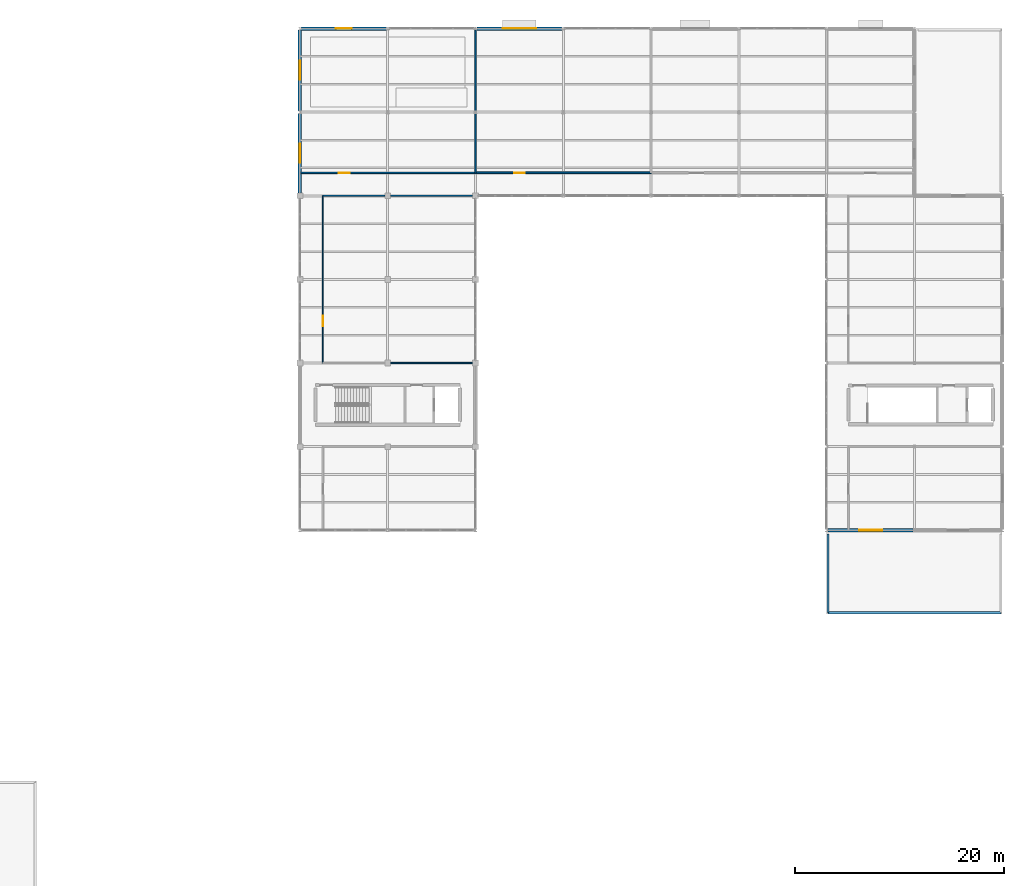
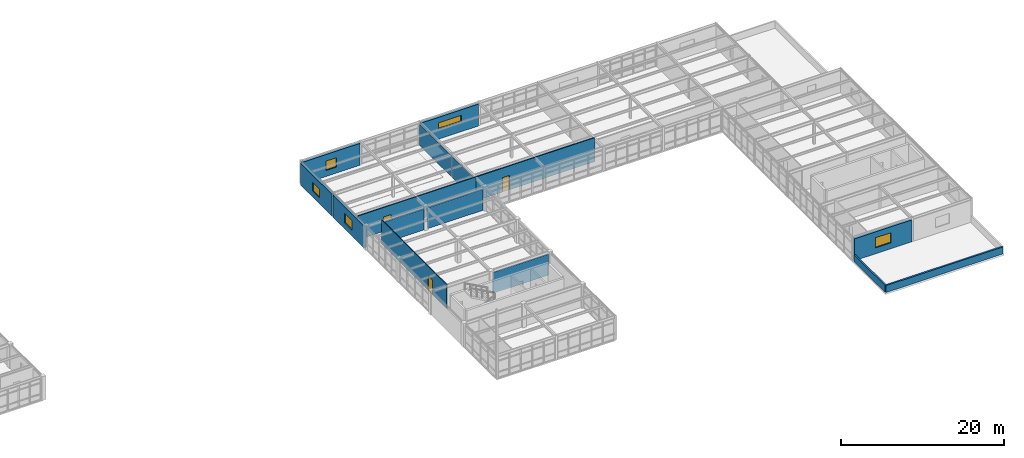
# One storey, part 45 of 53: 15 walls, 5 windows, 3 doors, 8 openings.
"""IFC4 building model written with IfcOpenShell, lengths in metres."""

from ifc_helpers import new_model, si_unit, direction, frame, frame_2d, origin, place, context, subcontext, project, spatial, rectangle, extrude, material, layer, layer_set, type_object, element, fill, save


model = new_model("IFC4")

# Units and contexts
model_context = context("Model", 3, precision=1e-05, world=origin(), true_north=direction((0.0, 1.0)))
body_context = subcontext(model_context, "Body", "Model", "MODEL_VIEW")
ifc_project = project(units=[si_unit("LENGTHUNIT", "METRE"), si_unit("AREAUNIT", "SQUARE_METRE"), si_unit("VOLUMEUNIT", "CUBIC_METRE"), si_unit("PLANEANGLEUNIT", "RADIAN"), si_unit("MASSUNIT", "GRAM", prefix="KILO")], contexts=[model_context])

# Site, building, storey
site_placement = place(None, origin())
site = spatial("IfcSite", under=ifc_project, at=site_placement, CompositionType="ELEMENT")
building_placement = place(site_placement, origin())
building = spatial("IfcBuilding", under=site, at=building_placement, Name="Kranzveld Transit Interchange", CompositionType="ELEMENT")
storey_placement = place(building_placement, frame((0.0, 0.0, 13.360107421875)))
storey = spatial("IfcBuildingStorey", under=building, at=storey_placement, Name="L03", CompositionType="ELEMENT", Elevation=13.360107421875)

# Wall, opening, door
ifc_material_1 = material(Name="Clay masonry unit wall, 20 MPa", Category="masonry")
ifc_layer_1 = layer(ifc_material_1, 0.1650390625)
ifc_layer_set_1 = layer_set([ifc_layer_1], Name="Clay masonry unit wall, 20 MPa")
wall_type_1 = type_object("IfcWallType", Name="Acoustic Double-Stud Partition 165", PredefinedType="PARTITIONING", material=ifc_layer_set_1)
wall_1_placement = place(storey_placement, frame((117.60009765625, 98.199951171875, 0.0), z_axis=(0.0, 0.0, 1.0), x_axis=(1.0, 0.0, 0.0)))
wall_1 = element("IfcWall", 1, at=wall_1_placement, inside=storey, type_object=wall_type_1, Name="L03 Partition IW-L03-L03V4N-FRT-306-0", PredefinedType="PARTITIONING", context=body_context, shape_type="SweptSolid", body=[
    extrude(rectangle(XDim=16.7998046875, YDim=0.1650390625, at=frame_2d((8.39990234375, 0.0))), origin(), (0.0, 0.0, 1.0), 3.579833984375),
])
opening_1_placement = place(wall_1_placement, frame((3.699951171875, 0.0, 0.0), z_axis=(0.0, 0.0, 1.0), x_axis=(1.0, 0.0, 0.0)))
opening_1 = element("IfcOpeningElement", 2, at=opening_1_placement, cuts=wall_1, Name="Opening D-306", PredefinedType="OPENING", context=body_context, shape_type="SweptSolid", body=[
    extrude(rectangle(XDim=1.0, YDim=2.14990234375, at=frame_2d((0.5, 1.074951171875))), frame((0.0, 0.092529296875, 0.0), z_axis=(0.0, -1.0, 0.0), x_axis=(1.0, 0.0, 0.0)), (0.0, 0.0, 1.0), 0.18505859375),
])
ifc_material_2 = material(Name="Bronze-anodised thermally broken aluminium", Category="aluminium")
door_type_1 = type_object("IfcDoorType", Name="Acoustic Timber Door 1000x2150", OperationType="NOTDEFINED", PredefinedType="DOOR", material=ifc_material_2)
door_1_placement = place(opening_1_placement, origin())
door_1 = element("IfcDoor", 3, at=door_1_placement, inside=storey, type_object=door_type_1, Name="L03 Interior Door D-306", OperationType="SINGLE_SWING_RIGHT", OverallHeight=2.14990234375, OverallWidth=1.0, PredefinedType="DOOR", context=body_context, shape_type="SweptSolid", body=[
    extrude(rectangle(XDim=1.0, YDim=2.14990234375, at=frame_2d((0.5, 1.074951171875))), frame((0.0, 0.02490234375, 0.0), z_axis=(0.0, -1.0, 0.0), x_axis=(1.0, 0.0, 0.0)), (0.0, 0.0, 1.0), 0.050048828125),
])
fill(opening_1, door_1)

ifc_material_3 = material(Name="Clay masonry unit wall, 20 MPa", Category="masonry")
ifc_layer_2 = layer(ifc_material_3, 0.139892578125)
ifc_layer_set_2 = layer_set([ifc_layer_2], Name="Clay masonry unit wall, 20 MPa")
wall_type_2 = type_object("IfcWallType", Name="Acoustic Stud Partition 140", PredefinedType="PARTITIONING", material=ifc_layer_set_2)
wall_2_placement = place(storey_placement, frame((100.840087890625, 98.199951171875, 0.0), z_axis=(0.0, 0.0, 1.0), x_axis=(1.0, 0.0, 0.0)))
wall_2 = element("IfcWall", 4, at=wall_2_placement, inside=storey, type_object=wall_type_2, Name="L03 Partition IW-L03-L03V4N-FRT-305-0", PredefinedType="PARTITIONING", context=body_context, shape_type="SweptSolid", body=[
    extrude(rectangle(XDim=16.760009765625, YDim=0.139892578125, at=frame_2d((8.3798828125, 0.0))), origin(), (0.0, 0.0, 1.0), 3.579833984375),
])
opening_2_placement = place(wall_2_placement, frame((3.659912109375, 0.0, 0.0), z_axis=(0.0, 0.0, 1.0), x_axis=(1.0, 0.0, 0.0)))
opening_2 = element("IfcOpeningElement", 5, at=opening_2_placement, cuts=wall_2, Name="Opening D-305", PredefinedType="OPENING", context=body_context, shape_type="SweptSolid", body=[
    extrude(rectangle(XDim=1.050048828125, YDim=2.14990234375, at=frame_2d((0.52490234375, 1.074951171875))), frame((0.0, 0.079833984375, 0.0), z_axis=(0.0, -1.0, 0.0), x_axis=(1.0, 0.0, 0.0)), (0.0, 0.0, 1.0), 0.159912109375),
])
ifc_material_4 = material(Name="Bronze-anodised thermally broken aluminium", Category="aluminium")
door_type_2 = type_object("IfcDoorType", Name="Acoustic Meeting Door 1050x2150", OperationType="NOTDEFINED", PredefinedType="DOOR", material=ifc_material_4)
door_2_placement = place(opening_2_placement, origin())
door_2 = element("IfcDoor", 6, at=door_2_placement, inside=storey, type_object=door_type_2, Name="L03 Interior Door D-305", OperationType="SINGLE_SWING_LEFT", OverallHeight=2.14990234375, OverallWidth=1.050048828125, PredefinedType="DOOR", context=body_context, shape_type="SweptSolid", body=[
    extrude(rectangle(XDim=1.050048828125, YDim=2.14990234375, at=frame_2d((0.52490234375, 1.074951171875))), frame((0.0, 0.02490234375, 0.0), z_axis=(0.0, -1.0, 0.0), x_axis=(1.0, 0.0, 0.0)), (0.0, 0.0, 1.0), 0.050048828125),
])
fill(opening_2, door_2)

# Walls
wall_3_placement = place(storey_placement, frame((117.60009765625, 98.199951171875, 0.0), z_axis=(0.0, 0.0, 1.0), x_axis=(0.0, 1.0, 0.0)))
element("IfcWall", 7, at=wall_3_placement, inside=storey, type_object=wall_type_2, Name="L03 Partition IW-L03-L03V4N-E-305-0", PredefinedType="PARTITIONING", context=body_context, shape_type="SweptSolid", body=[
    extrude(rectangle(XDim=5.679931640625, YDim=0.139892578125, at=frame_2d((2.83984375, 0.0))), origin(), (0.0, 0.0, 1.0), 3.12646484375),
])
wall_4_placement = place(storey_placement, frame((117.60009765625, 104.1201171875, 0.0), z_axis=(0.0, 0.0, 1.0), x_axis=(0.0, 1.0, 0.0)))
element("IfcWall", 8, at=wall_4_placement, inside=storey, type_object=wall_type_2, Name="L03 Partition IW-L03-L03V4N-E-305-1", PredefinedType="PARTITIONING", context=body_context, shape_type="SweptSolid", body=[
    extrude(rectangle(XDim=7.759765625, YDim=0.139892578125, at=frame_2d((3.8798828125, 0.0))), origin(), (0.0, 0.0, 1.0), 3.12646484375),
])

# Wall, opening, window
ifc_material_5 = material(Name="Pretoria red-purple clinker clay face brick, 35 MPa", Category="masonry")
ifc_layer_3 = layer(ifc_material_5, 0.340087890625)
ifc_layer_set_3 = layer_set([ifc_layer_3], Name="Pretoria red-purple clinker clay face brick, 35 MPa")
wall_type_3 = type_object("IfcWallType", Name="Exterior Cavity Wall Red Clinker 340", PredefinedType="SOLIDWALL", material=ifc_layer_set_3)
wall_5_placement = place(storey_placement, frame((151.328125, 64.0, 0.0), z_axis=(0.0, 0.0, 1.0), x_axis=(1.0, 0.0, 0.0)))
wall_5 = element("IfcWall", 9, at=wall_5_placement, inside=storey, type_object=wall_type_3, Name="L03 Clinker Facade Wall 19/J-20/J", PredefinedType="SOLIDWALL", context=body_context, shape_type="SweptSolid", body=[
    extrude(rectangle(XDim=8.143798828125, YDim=0.340087890625, at=frame_2d((4.07177734375, 0.0))), origin(), (0.0, 0.0, 1.0), 3.27978515625),
])
opening_3_placement = place(wall_5_placement, frame((2.971923828125, 0.0, 0.89990234375), z_axis=(0.0, 0.0, 1.0), x_axis=(1.0, 0.0, 0.0)))
opening_3 = element("IfcOpeningElement", 10, at=opening_3_placement, cuts=wall_5, Name="Opening W-09", PredefinedType="OPENING", context=body_context, shape_type="SweptSolid", body=[
    extrude(rectangle(XDim=2.199951171875, YDim=1.5, at=frame_2d((1.10009765625, 0.75))), frame((0.0, 0.179931640625, 0.0), z_axis=(0.0, -1.0, 0.0), x_axis=(1.0, 0.0, 0.0)), (0.0, 0.0, 1.0), 0.360107421875),
])
ifc_material_6 = material(Name="Solar-control double glazing", Category="glass")
window_type_1 = type_object("IfcWindowType", Name="Window Office Double 2200x1500", PartitioningType="DOUBLE_PANEL_VERTICAL", PredefinedType="WINDOW", material=ifc_material_6)
window_1_placement = place(opening_3_placement, origin())
window_1 = element("IfcWindow", 11, at=window_1_placement, inside=storey, type_object=window_type_1, Name="L03 Facade Window 19/J", OverallHeight=1.5, OverallWidth=2.199951171875, PartitioningType="DOUBLE_PANEL_VERTICAL", PredefinedType="WINDOW", context=body_context, shape_type="SweptSolid", body=[
    extrude(rectangle(XDim=2.199951171875, YDim=1.5, at=frame_2d((1.10009765625, 0.75))), frame((0.0, 0.030029296875, 0.0), z_axis=(0.0, -1.0, 0.0), x_axis=(1.0, 0.0, 0.0)), (0.0, 0.0, 1.0), 0.06005859375),
])
fill(opening_3, window_1)

wall_6_placement = place(storey_placement, frame((100.800048828125, 96.27490234375, 0.0), z_axis=(0.0, 0.0, 1.0), x_axis=(0.0, 1.0, 0.0)))
wall_6 = element("IfcWall", 12, at=wall_6_placement, inside=storey, type_object=wall_type_3, Name="L03 Clinker Facade Wall 13/N-13/P", PredefinedType="SOLIDWALL", context=body_context, shape_type="SweptSolid", body=[
    extrude(rectangle(XDim=7.594970703125, YDim=0.340087890625, at=frame_2d((3.79736328125, 0.0))), origin(), (0.0, 0.0, 1.0), 3.27978515625),
])
opening_4_placement = place(wall_6_placement, frame((2.8974609375, 0.0, 0.89990234375), z_axis=(0.0, 0.0, 1.0), x_axis=(1.0, 0.0, 0.0)))
opening_4 = element("IfcOpeningElement", 13, at=opening_4_placement, cuts=wall_6, Name="Opening W-11", PredefinedType="OPENING", context=body_context, shape_type="SweptSolid", body=[
    extrude(rectangle(XDim=1.800048828125, YDim=1.449951171875, at=frame_2d((0.89990234375, 0.72509765625))), frame((0.0, 0.179931640625, 0.0), z_axis=(0.0, -1.0, 0.0), x_axis=(1.0, 0.0, 0.0)), (0.0, 0.0, 1.0), 0.360107421875),
])
ifc_material_7 = material(Name="Solar-control double glazing", Category="glass")
window_type_2 = type_object("IfcWindowType", Name="Window Office Double 1800x1450", PartitioningType="DOUBLE_PANEL_VERTICAL", PredefinedType="WINDOW", material=ifc_material_7)
window_2_placement = place(opening_4_placement, origin())
window_2 = element("IfcWindow", 14, at=window_2_placement, inside=storey, type_object=window_type_2, Name="L03 Facade Window 13/N", OverallHeight=1.449951171875, OverallWidth=1.800048828125, PartitioningType="DOUBLE_PANEL_VERTICAL", PredefinedType="WINDOW", context=body_context, shape_type="SweptSolid", body=[
    extrude(rectangle(XDim=1.800048828125, YDim=1.449951171875, at=frame_2d((0.89990234375, 0.72509765625))), frame((0.0, 0.030029296875, 0.0), z_axis=(0.0, -1.0, 0.0), x_axis=(1.0, 0.0, 0.0)), (0.0, 0.0, 1.0), 0.06005859375),
])
fill(opening_4, window_2)

wall_7_placement = place(storey_placement, frame((100.800048828125, 104.130126953125, 0.0), z_axis=(0.0, 0.0, 1.0), x_axis=(0.0, 1.0, 0.0)))
wall_7 = element("IfcWall", 15, at=wall_7_placement, inside=storey, type_object=wall_type_3, Name="L03 Clinker Facade Wall 13/P-13/Q", PredefinedType="SOLIDWALL", context=body_context, shape_type="SweptSolid", body=[
    extrude(rectangle(XDim=7.73974609375, YDim=0.340087890625, at=frame_2d((3.869873046875, 0.0))), origin(), (0.0, 0.0, 1.0), 3.27978515625),
])
opening_5_placement = place(wall_7_placement, frame((2.969970703125, 0.0, 0.89990234375), z_axis=(0.0, 0.0, 1.0), x_axis=(1.0, 0.0, 0.0)))
opening_5 = element("IfcOpeningElement", 16, at=opening_5_placement, cuts=wall_7, Name="Opening W-12", PredefinedType="OPENING", context=body_context, shape_type="SweptSolid", body=[
    extrude(rectangle(XDim=1.800048828125, YDim=1.300048828125, at=frame_2d((0.89990234375, 0.64990234375))), frame((0.0, 0.179931640625, 0.0), z_axis=(0.0, -1.0, 0.0), x_axis=(1.0, 0.0, 0.0)), (0.0, 0.0, 1.0), 0.360107421875),
])
ifc_material_8 = material(Name="Solar-control double glazing", Category="glass")
window_type_3 = type_object("IfcWindowType", Name="Window Studio Double 1800x1300", PartitioningType="DOUBLE_PANEL_VERTICAL", PredefinedType="WINDOW", material=ifc_material_8)
window_3_placement = place(opening_5_placement, origin())
window_3 = element("IfcWindow", 17, at=window_3_placement, inside=storey, type_object=window_type_3, Name="L03 Facade Window 13/P", OverallHeight=1.300048828125, OverallWidth=1.800048828125, PartitioningType="DOUBLE_PANEL_VERTICAL", PredefinedType="WINDOW", context=body_context, shape_type="SweptSolid", body=[
    extrude(rectangle(XDim=1.800048828125, YDim=1.300048828125, at=frame_2d((0.89990234375, 0.64990234375))), frame((0.0, 0.030029296875, 0.0), z_axis=(0.0, -1.0, 0.0), x_axis=(1.0, 0.0, 0.0)), (0.0, 0.0, 1.0), 0.06005859375),
])
fill(opening_5, window_3)

wall_8_placement = place(storey_placement, frame((100.927978515625, 112.0, 0.0), z_axis=(0.0, 0.0, 1.0), x_axis=(1.0, 0.0, 0.0)))
wall_8 = element("IfcWall", 18, at=wall_8_placement, inside=storey, type_object=wall_type_3, Name="L03 Clinker Facade Wall 13/Q-14/Q", PredefinedType="SOLIDWALL", context=body_context, shape_type="SweptSolid", body=[
    extrude(rectangle(XDim=8.14404296875, YDim=0.340087890625, at=frame_2d((4.072021484375, 0.0))), origin(), (0.0, 0.0, 1.0), 3.27978515625),
])
opening_6_placement = place(wall_8_placement, frame((3.322021484375, 0.0, 0.89990234375), z_axis=(0.0, 0.0, 1.0), x_axis=(1.0, 0.0, 0.0)))
opening_6 = element("IfcOpeningElement", 19, at=opening_6_placement, cuts=wall_8, Name="Opening W-13", PredefinedType="OPENING", context=body_context, shape_type="SweptSolid", body=[
    extrude(rectangle(XDim=1.5, YDim=1.39990234375, at=frame_2d((0.75, 0.699951171875))), frame((0.0, 0.179931640625, 0.0), z_axis=(0.0, -1.0, 0.0), x_axis=(1.0, 0.0, 0.0)), (0.0, 0.0, 1.0), 0.360107421875),
])
ifc_material_9 = material(Name="Solar-control double glazing", Category="glass")
window_type_4 = type_object("IfcWindowType", Name="Window Studio Single 1500x1400", PartitioningType="SINGLE_PANEL", PredefinedType="WINDOW", material=ifc_material_9)
window_4_placement = place(opening_6_placement, origin())
window_4 = element("IfcWindow", 20, at=window_4_placement, inside=storey, type_object=window_type_4, Name="L03 Facade Window 13/Q", OverallHeight=1.39990234375, OverallWidth=1.5, PartitioningType="SINGLE_PANEL", PredefinedType="WINDOW", context=body_context, shape_type="SweptSolid", body=[
    extrude(rectangle(XDim=1.5, YDim=1.39990234375, at=frame_2d((0.75, 0.699951171875))), frame((0.0, 0.030029296875, 0.0), z_axis=(0.0, -1.0, 0.0), x_axis=(1.0, 0.0, 0.0)), (0.0, 0.0, 1.0), 0.06005859375),
])
fill(opening_6, window_4)

wall_9_placement = place(storey_placement, frame((117.72802734375, 112.0, 0.0), z_axis=(0.0, 0.0, 1.0), x_axis=(1.0, 0.0, 0.0)))
wall_9 = element("IfcWall", 21, at=wall_9_placement, inside=storey, type_object=wall_type_3, Name="L03 Clinker Facade Wall 15/Q-16/Q", PredefinedType="SOLIDWALL", context=body_context, shape_type="SweptSolid", body=[
    extrude(rectangle(XDim=8.143798828125, YDim=0.340087890625, at=frame_2d((4.07177734375, 0.0))), origin(), (0.0, 0.0, 1.0), 3.27978515625),
])
opening_7_placement = place(wall_9_placement, frame((2.471923828125, 0.0, 1.550048828125), z_axis=(0.0, 0.0, 1.0), x_axis=(1.0, 0.0, 0.0)))
opening_7 = element("IfcOpeningElement", 22, at=opening_7_placement, cuts=wall_9, Name="Opening W-14", PredefinedType="OPENING", context=body_context, shape_type="SweptSolid", body=[
    extrude(rectangle(XDim=3.199951171875, YDim=0.89990234375, at=frame_2d((1.60009765625, 0.449951171875))), frame((0.0, 0.179931640625, 0.0), z_axis=(0.0, -1.0, 0.0), x_axis=(1.0, 0.0, 0.0)), (0.0, 0.0, 1.0), 0.360107421875),
])
ifc_material_10 = material(Name="Solar-control double glazing", Category="glass")
window_type_5 = type_object("IfcWindowType", Name="Window Clerestory 3200x900", PartitioningType="TRIPLE_PANEL_HORIZONTAL", PredefinedType="WINDOW", material=ifc_material_10)
window_5_placement = place(opening_7_placement, origin())
window_5 = element("IfcWindow", 23, at=window_5_placement, inside=storey, type_object=window_type_5, Name="L03 Facade Window 15/Q", OverallHeight=0.89990234375, OverallWidth=3.199951171875, PartitioningType="TRIPLE_PANEL_HORIZONTAL", PredefinedType="WINDOW", context=body_context, shape_type="SweptSolid", body=[
    extrude(rectangle(XDim=3.199951171875, YDim=0.89990234375, at=frame_2d((1.60009765625, 0.449951171875))), frame((0.0, 0.030029296875, 0.0), z_axis=(0.0, -1.0, 0.0), x_axis=(1.0, 0.0, 0.0)), (0.0, 0.0, 1.0), 0.06005859375),
])
fill(opening_7, window_5)

# Wall, opening, door
ifc_material_11 = material(Name="Clay masonry unit wall, 20 MPa", Category="masonry")
ifc_layer_4 = layer(ifc_material_11, 0.114990234375)
ifc_layer_set_4 = layer_set([ifc_layer_4], Name="Clay masonry unit wall, 20 MPa")
wall_type_4 = type_object("IfcWallType", Name="Internal Masonry Partition 115", PredefinedType="PARTITIONING", material=ifc_layer_set_4)
wall_10_placement = place(storey_placement, frame((103.0, 80.0, 0.0), z_axis=(0.0, 0.0, 1.0), x_axis=(0.0, 1.0, 0.0)))
wall_10 = element("IfcWall", 24, at=wall_10_placement, inside=storey, type_object=wall_type_4, Name="L03 Partition IW-L03-L03V4W-FRT-317-0", PredefinedType="PARTITIONING", context=body_context, shape_type="SweptSolid", body=[
    extrude(rectangle(XDim=16.0, YDim=0.114990234375, at=frame_2d((8.0, 0.0))), origin(), (0.0, 0.0, 1.0), 3.579833984375),
])
opening_8_placement = place(wall_10_placement, frame((4.52001953125, 0.0, 0.0), z_axis=(0.0, 0.0, 1.0), x_axis=(-1.0, 0.0, 0.0)))
opening_8 = element("IfcOpeningElement", 25, at=opening_8_placement, cuts=wall_10, Name="Opening D-317", PredefinedType="OPENING", context=body_context, shape_type="SweptSolid", body=[
    extrude(rectangle(XDim=1.02001953125, YDim=2.159912109375, at=frame_2d((0.510009765625, 1.080078125))), frame((0.0, 0.0673828125, 0.0), z_axis=(0.0, -1.0, 0.0), x_axis=(1.0, 0.0, 0.0)), (0.0, 0.0, 1.0), 0.135009765625),
])
ifc_material_12 = material(Name="Bronze-anodised thermally broken aluminium", Category="aluminium")
door_type_3 = type_object("IfcDoorType", Name="Studio Wide Door 1020x2160", OperationType="NOTDEFINED", PredefinedType="DOOR", material=ifc_material_12)
door_3_placement = place(opening_8_placement, origin())
door_3 = element("IfcDoor", 26, at=door_3_placement, inside=storey, type_object=door_type_3, Name="L03 Interior Door D-317", OperationType="SINGLE_SWING_RIGHT", OverallHeight=2.159912109375, OverallWidth=1.02001953125, PredefinedType="DOOR", context=body_context, shape_type="SweptSolid", body=[
    extrude(rectangle(XDim=1.02001953125, YDim=2.159912109375, at=frame_2d((0.510009765625, 1.080078125))), frame((0.0, 0.02490234375, 0.0), z_axis=(0.0, -1.0, 0.0), x_axis=(1.0, 0.0, 0.0)), (0.0, 0.0, 1.0), 0.050048828125),
])
fill(opening_8, door_3)

# Walls
wall_11_placement = place(storey_placement, frame((109.465087890625, 80.0, 0.0), z_axis=(0.0, 0.0, 1.0), x_axis=(1.0, 0.0, 0.0)))
element("IfcWall", 27, at=wall_11_placement, inside=storey, type_object=wall_type_4, Name="L03 Partition IW-L03-L03V4W-S-317-1", PredefinedType="PARTITIONING", context=body_context, shape_type="SweptSolid", body=[
    extrude(rectangle(XDim=7.869873046875, YDim=0.114990234375, at=frame_2d((3.93505859375, 0.0))), origin(), (0.0, 0.0, 1.0), 3.122802734375),
])
wall_12_placement = place(storey_placement, frame((103.0, 96.0, 0.0), z_axis=(0.0, 0.0, 1.0), x_axis=(1.0, 0.0, 0.0)))
element("IfcWall", 28, at=wall_12_placement, inside=storey, type_object=wall_type_4, Name="L03 Partition IW-L03-L03V4W-N-317-0", PredefinedType="PARTITIONING", context=body_context, shape_type="SweptSolid", body=[
    extrude(rectangle(XDim=5.93505859375, YDim=0.114990234375, at=frame_2d((2.967529296875, 0.0))), origin(), (0.0, 0.0, 1.0), 3.122802734375),
])
wall_13_placement = place(storey_placement, frame((109.465087890625, 96.0, 0.0), z_axis=(0.0, 0.0, 1.0), x_axis=(1.0, 0.0, 0.0)))
element("IfcWall", 29, at=wall_13_placement, inside=storey, type_object=wall_type_4, Name="L03 Partition IW-L03-L03V4W-N-317-1", PredefinedType="PARTITIONING", context=body_context, shape_type="SweptSolid", body=[
    extrude(rectangle(XDim=7.869873046875, YDim=0.114990234375, at=frame_2d((3.93505859375, 0.0))), origin(), (0.0, 0.0, 1.0), 3.122802734375),
])
ifc_material_13 = material(Name="Pretoria red-purple clinker clay face brick, 35 MPa", Category="masonry")
ifc_layer_5 = layer(ifc_material_13, 0.22998046875)
ifc_layer_set_5 = layer_set([ifc_layer_5], Name="Pretoria red-purple clinker clay face brick, 35 MPa")
wall_type_5 = type_object("IfcWallType", Name="Roof Parapet Wall Clinker Brick 230", PredefinedType="PARAPET", material=ifc_layer_set_5)
wall_14_placement = place(storey_placement, frame((167.8798828125, 56.1201171875, 0.0), z_axis=(0.0, 0.0, 1.0), x_axis=(-1.0, 0.0, 0.0)))
element("IfcWall", 30, at=wall_14_placement, inside=storey, type_object=wall_type_5, Name="L03 Roof Parapet 024", PredefinedType="PARAPET", context=body_context, shape_type="SweptSolid", body=[
    extrude(rectangle(XDim=16.559814453125, YDim=0.22998046875, at=frame_2d((8.27978515625, 0.0))), origin(), (0.0, 0.0, 1.0), 1.0498046875),
])
ifc_material_14 = material(Name="Dark Pretoria clinker clay plinth brick, 40 MPa", Category="masonry")
ifc_layer_6 = layer(ifc_material_14, 0.215087890625)
ifc_layer_set_6 = layer_set([ifc_layer_6], Name="Dark Pretoria clinker clay plinth brick, 40 MPa")
wall_type_6 = type_object("IfcWallType", Name="Terrace Parapet Upstand Brick 215", PredefinedType="PARAPET", material=ifc_layer_set_6)
wall_15_placement = place(storey_placement, frame((151.320068359375, 56.1201171875, 0.0), z_axis=(0.0, 0.0, 1.0), x_axis=(0.0, 1.0, 0.0)))
element("IfcWall", 31, at=wall_15_placement, inside=storey, type_object=wall_type_6, Name="L03 Roof Parapet 025", PredefinedType="PARAPET", context=body_context, shape_type="SweptSolid", body=[
    extrude(rectangle(XDim=7.52978515625, YDim=0.215087890625, at=frame_2d((3.764892578125, 0.0))), origin(), (0.0, 0.0, 1.0), 1.0498046875),
])

save(model, "model.ifc")
